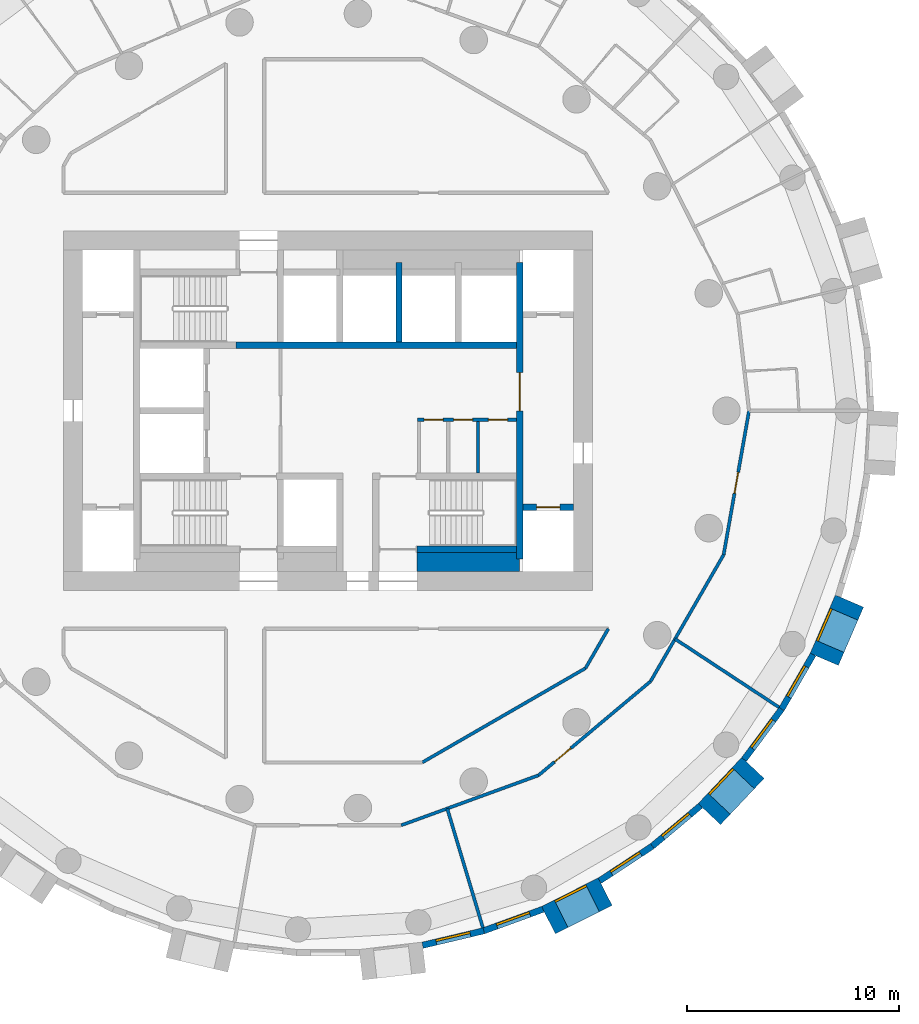
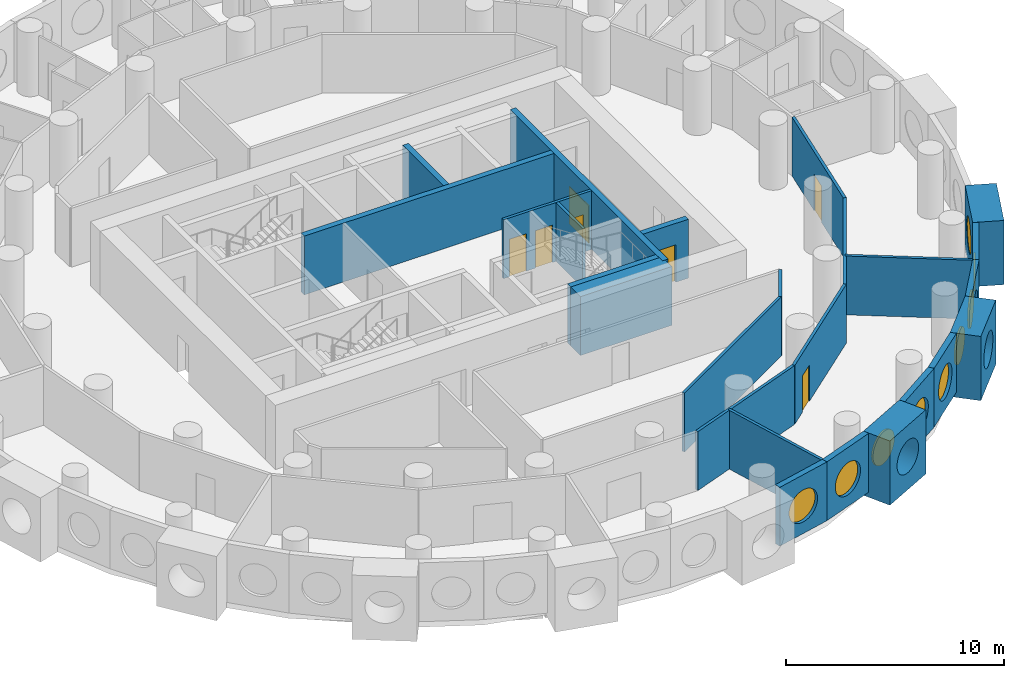
# One storey, part 4 of 10: 25 walls, 9 windows, 7 doors, 16 openings.
"""IFC4 building model written with IfcOpenShell, lengths in metres."""

from ifc_helpers import new_model, si_unit, direction, frame, frame_2d, origin, origin_2d, place, context, subcontext, project, spatial, rectangle, circle, extrude, material, layer, layer_set, type_object, element, fill, save


model = new_model("IFC4")

# Units and contexts
model_context = context("Model", 3, precision=1e-05, world=origin(), true_north=direction((0.0, 1.0)))
body_context = subcontext(model_context, "Body", "Model", "MODEL_VIEW")
ifc_project = project(units=[si_unit("LENGTHUNIT", "METRE"), si_unit("AREAUNIT", "SQUARE_METRE"), si_unit("VOLUMEUNIT", "CUBIC_METRE"), si_unit("PLANEANGLEUNIT", "RADIAN"), si_unit("MASSUNIT", "GRAM", prefix="KILO")], contexts=[model_context])

# Site, building, storey
site_placement = place(None, origin())
site = spatial("IfcSite", under=ifc_project, at=site_placement, CompositionType="ELEMENT")
building_placement = place(site_placement, origin())
building = spatial("IfcBuilding", under=site, at=building_placement, Name="Tracery Tower", CompositionType="ELEMENT")
storey_placement = place(building_placement, frame((0.0, 0.0, 133.199951171875)))
storey = spatial("IfcBuildingStorey", under=building, at=storey_placement, Name="L33", CompositionType="ELEMENT", Elevation=133.199951171875)

# Wall, openings, doors
ifc_material_1 = material(Name="Plasterboard on steel studs", Category="steel")
ifc_layer_1 = layer(ifc_material_1, 0.14990234375)
ifc_layer_set_1 = layer_set([ifc_layer_1], Name="Core room partition 150")
wall_type_1 = type_object("IfcWallType", Name="Core room partition 150", PredefinedType="SOLIDWALL", material=ifc_layer_set_1)
wall_1_placement = place(storey_placement, frame((4.22509765625, -0.425048828125, 0.0), z_axis=(0.0, 0.0, 1.0), x_axis=(1.0, 0.0, 0.0)))
wall_1 = element("IfcWall", 1, at=wall_1_placement, inside=storey, type_object=wall_type_1, Name="L33 slot N", PredefinedType="SOLIDWALL", context=body_context, shape_type="SweptSolid", body=[
    extrude(rectangle(XDim=4.6748046875, YDim=0.14990234375, at=frame_2d((2.33740234375, 0.0))), origin(), (0.0, 0.0, 1.0), 3.300048828125),
])
opening_1_placement = place(wall_1_placement, frame((0.3125, 0.0, 0.0)))
opening_1 = element("IfcOpeningElement", 2, at=opening_1_placement, cuts=wall_1, Name="Opening KD32", PredefinedType="OPENING", context=body_context, shape_type="SweptSolid", body=[
    extrude(rectangle(XDim=0.89990234375, YDim=2.10009765625, at=frame_2d((0.449951171875, 1.050048828125))), frame((0.0, 0.074951171875, 0.0), z_axis=(0.0, -1.0, 0.0), x_axis=(1.0, 0.0, 0.0)), (0.0, 0.0, 1.0), 0.14990234375),
])
opening_2_placement = place(wall_1_placement, frame((1.699951171875, 0.0, 0.0)))
opening_2 = element("IfcOpeningElement", 3, at=opening_2_placement, cuts=wall_1, Name="Opening KD26", PredefinedType="OPENING", context=body_context, shape_type="SweptSolid", body=[
    extrude(rectangle(XDim=0.89990234375, YDim=2.10009765625, at=frame_2d((0.449951171875, 1.050048828125))), frame((0.0, 0.074951171875, 0.0), z_axis=(0.0, -1.0, 0.0), x_axis=(1.0, 0.0, 0.0)), (0.0, 0.0, 1.0), 0.14990234375),
])
opening_3_placement = place(wall_1_placement, frame((3.35009765625, 0.0, 0.0)))
opening_3 = element("IfcOpeningElement", 4, at=opening_3_placement, cuts=wall_1, Name="Opening KD22", PredefinedType="OPENING", context=body_context, shape_type="SweptSolid", body=[
    extrude(rectangle(XDim=0.89990234375, YDim=2.10009765625, at=frame_2d((0.449951171875, 1.050048828125))), frame((0.0, 0.074951171875, 0.0), z_axis=(0.0, -1.0, 0.0), x_axis=(1.0, 0.0, 0.0)), (0.0, 0.0, 1.0), 0.14990234375),
])
ifc_material_2 = material(Name="Timber door leaf", Category="wood")
door_type_1 = type_object("IfcDoorType", Name="Core WC door 900", OperationType="NOTDEFINED", PredefinedType="DOOR", material=ifc_material_2)
door_1_placement = place(opening_3_placement, origin())
door_1 = element("IfcDoor", 5, at=door_1_placement, inside=storey, type_object=door_type_1, Name="Core door", OperationType="SINGLE_SWING_RIGHT", OverallHeight=2.10009765625, OverallWidth=0.89990234375, PredefinedType="DOOR", context=body_context, shape_type="SweptSolid", body=[
    extrude(rectangle(XDim=0.89990234375, YDim=2.10009765625, at=frame_2d((0.449951171875, 1.050048828125))), frame((0.0, 0.02490234375, 0.0), z_axis=(0.0, -1.0, 0.0), x_axis=(1.0, 0.0, 0.0)), (0.0, 0.0, 1.0), 0.050048828125),
])
fill(opening_3, door_1)
ifc_material_3 = material(Name="Steel fire door", Category="steel")
door_type_2 = type_object("IfcDoorType", Name="Core riser door 900", OperationType="NOTDEFINED", PredefinedType="DOOR", material=ifc_material_3)
door_2_placement = place(opening_1_placement, origin())
door_2 = element("IfcDoor", 6, at=door_2_placement, inside=storey, type_object=door_type_2, Name="Core door", OperationType="SINGLE_SWING_RIGHT", OverallHeight=2.10009765625, OverallWidth=0.89990234375, PredefinedType="DOOR", context=body_context, shape_type="SweptSolid", body=[
    extrude(rectangle(XDim=0.89990234375, YDim=2.10009765625, at=frame_2d((0.449951171875, 1.050048828125))), frame((0.0, 0.02490234375, 0.0), z_axis=(0.0, -1.0, 0.0), x_axis=(1.0, 0.0, 0.0)), (0.0, 0.0, 1.0), 0.050048828125),
])
fill(opening_1, door_2)
ifc_material_4 = material(Name="Timber door leaf", Category="wood")
door_type_3 = type_object("IfcDoorType", Name="Core store door 900", OperationType="NOTDEFINED", PredefinedType="DOOR", material=ifc_material_4)
door_3_placement = place(opening_2_placement, origin())
door_3 = element("IfcDoor", 7, at=door_3_placement, inside=storey, type_object=door_type_3, Name="Core door", OperationType="SINGLE_SWING_LEFT", OverallHeight=2.10009765625, OverallWidth=0.89990234375, PredefinedType="DOOR", context=body_context, shape_type="SweptSolid", body=[
    extrude(rectangle(XDim=0.89990234375, YDim=2.10009765625, at=frame_2d((0.449951171875, 1.050048828125))), frame((0.0, 0.02490234375, 0.0), z_axis=(0.0, -1.0, 0.0), x_axis=(1.0, 0.0, 0.0)), (0.0, 0.0, 1.0), 0.050048828125),
])
fill(opening_2, door_3)

# Walls
wall_2_placement = place(storey_placement, frame((7.074951171875, -2.949951171875, 0.0), z_axis=(0.0, 0.0, 1.0), x_axis=(0.0, 1.0, 0.0)))
element("IfcWall", 8, at=wall_2_placement, inside=storey, type_object=wall_type_1, Name="L33 slot sep 2", PredefinedType="SOLIDWALL", context=body_context, shape_type="SweptSolid", body=[
    extrude(rectangle(XDim=2.449951171875, YDim=0.14990234375, at=frame_2d((1.22509765625, 0.0))), origin(), (0.0, 0.0, 1.0), 3.300048828125),
])
ifc_material_5 = material(Name="Concrete C50/60", Category="concrete")
ifc_layer_2 = layer(ifc_material_5, 0.89990234375)
ifc_layer_set_2 = layer_set([ifc_layer_2], Name="Core strip wall 900 C50")
wall_type_2 = type_object("IfcWallType", Name="Core strip wall 900 C50", PredefinedType="SOLIDWALL", material=ifc_layer_set_2)
wall_3_placement = place(storey_placement, frame((4.199951171875, -7.14990234375, 0.0), z_axis=(0.0, 0.0, 1.0), x_axis=(1.0, 0.0, 0.0)))
element("IfcWall", 9, at=wall_3_placement, inside=storey, type_object=wall_type_2, Name="L33 F thick S E", PredefinedType="SOLIDWALL", context=body_context, shape_type="SweptSolid", body=[
    extrude(rectangle(XDim=4.85009765625, YDim=0.89990234375, at=frame_2d((2.425048828125, 0.0))), origin(), (0.0, 0.0, 1.0), 3.300048828125),
])

# Wall, opening, window
ifc_material_6 = material(Name="Precast concrete C50/60", Category="concrete")
ifc_layer_3 = layer(ifc_material_6, 1.449951171875)
ifc_layer_set_3 = layer_set([ifc_layer_3], Name="Deep-set bay unit 3000 x 3600, slab edge 300")
wall_type_3 = type_object("IfcWallType", Name="Deep-set bay unit 3000 x 3600, slab edge 300", PredefinedType="ELEMENTEDWALL", material=ifc_layer_set_3)
wall_4_placement = place(storey_placement, frame((10.40869140625, -24.067626953125, -0.300048828125), z_axis=(0.0, 0.0, 1.0), x_axis=(0.893628249713, 0.448807922518, 0.0)))
wall_4 = element("IfcWall", 10, at=wall_4_placement, inside=storey, type_object=wall_type_3, Name="Deep-set bay unit 45 at L33", PredefinedType="ELEMENTEDWALL", context=body_context, shape_type="SweptSolid", body=[
    extrude(rectangle(XDim=3.0, YDim=1.449951171875, at=frame_2d((1.5, 0.0))), origin(), (0.0, 0.0, 1.0), 3.60009765625),
])
opening_4_placement = place(wall_4_placement, frame((1.5, 0.0, 1.85009765625)))
opening_4 = element("IfcOpeningElement", 11, at=opening_4_placement, cuts=wall_4, Name="Opening WN1", PredefinedType="OPENING", context=body_context, shape_type="SweptSolid", body=[
    extrude(circle(Radius=0.9000244140625, at=origin_2d()), frame((0.0, 0.73486328125, 0.0), z_axis=(0.0, -1.0, 0.0), x_axis=(1.0, 0.0, 0.0)), (0.0, 0.0, 1.0), 1.469970703125),
])
ifc_material_7 = material(Name="Aluminium frame with tinted double glazing", Category="aluminium")
window_type = type_object("IfcWindowType", Name="Round window 1800", PartitioningType="SINGLE_PANEL", PredefinedType="WINDOW", material=ifc_material_7)
window_1_placement = place(opening_4_placement, origin())
window_1 = element("IfcWindow", 12, at=window_1_placement, inside=storey, type_object=window_type, Name="Round window 45 at L33", OverallHeight=1.800048828125, OverallWidth=1.800048828125, PartitioningType="SINGLE_PANEL", PredefinedType="WINDOW", context=body_context, shape_type="SweptSolid", body=[
    extrude(circle(Radius=0.9000244140625, at=origin_2d()), frame((0.0, 0.69482421875, 0.0), z_axis=(0.0, -1.0, 0.0), x_axis=(1.0, 0.0, 0.0)), (0.0, 0.0, 1.0), 0.10009765625),
])
fill(opening_4, window_1)

wall_5_placement = place(storey_placement, frame((18.0126953125, -19.05615234375, -0.300048828125), z_axis=(0.0, 0.0, 1.0), x_axis=(0.686217177108, 0.727396718334, 0.0)))
wall_5 = element("IfcWall", 13, at=wall_5_placement, inside=storey, type_object=wall_type_3, Name="Deep-set bay unit 48 at L33", PredefinedType="ELEMENTEDWALL", context=body_context, shape_type="SweptSolid", body=[
    extrude(rectangle(XDim=3.0, YDim=1.449951171875, at=frame_2d((1.5, 0.0))), origin(), (0.0, 0.0, 1.0), 3.60009765625),
])
opening_5_placement = place(wall_5_placement, frame((1.5, 0.0, 1.85009765625)))
opening_5 = element("IfcOpeningElement", 14, at=opening_5_placement, cuts=wall_5, Name="Opening WN1", PredefinedType="OPENING", context=body_context, shape_type="SweptSolid", body=[
    extrude(circle(Radius=0.9000244140625, at=origin_2d()), frame((0.0, 0.73486328125, 0.0), z_axis=(0.0, -1.0, 0.0), x_axis=(1.0, 0.0, 0.0)), (0.0, 0.0, 1.0), 1.469970703125),
])
window_2_placement = place(opening_5_placement, origin())
window_2 = element("IfcWindow", 15, at=window_2_placement, inside=storey, type_object=window_type, Name="Round window 48 at L33", OverallHeight=1.800048828125, OverallWidth=1.800048828125, PartitioningType="SINGLE_PANEL", PredefinedType="WINDOW", context=body_context, shape_type="SweptSolid", body=[
    extrude(circle(Radius=0.9000244140625, at=origin_2d()), frame((0.0, 0.69482421875, 0.0), z_axis=(0.0, -1.0, 0.0), x_axis=(1.0, 0.0, 0.0)), (0.0, 0.0, 1.0), 0.10009765625),
])
fill(opening_5, window_2)

wall_6_placement = place(storey_placement, frame((23.44384765625, -11.746337890625, -0.300048828125), z_axis=(0.0, 0.0, 1.0), x_axis=(0.396079003245, 0.918216435917, 0.0)))
wall_6 = element("IfcWall", 16, at=wall_6_placement, inside=storey, type_object=wall_type_3, Name="Deep-set bay unit 51 at L33", PredefinedType="ELEMENTEDWALL", context=body_context, shape_type="SweptSolid", body=[
    extrude(rectangle(XDim=3.0, YDim=1.449951171875, at=frame_2d((1.5, 0.0))), origin(), (0.0, 0.0, 1.0), 3.60009765625),
])
opening_6_placement = place(wall_6_placement, frame((1.5, 0.0, 1.85009765625)))
opening_6 = element("IfcOpeningElement", 17, at=opening_6_placement, cuts=wall_6, Name="Opening WN1", PredefinedType="OPENING", context=body_context, shape_type="SweptSolid", body=[
    extrude(circle(Radius=0.9000244140625, at=origin_2d()), frame((0.0, 0.73486328125, 0.0), z_axis=(0.0, -1.0, 0.0), x_axis=(1.0, 0.0, 0.0)), (0.0, 0.0, 1.0), 1.469970703125),
])
window_3_placement = place(opening_6_placement, origin())
window_3 = element("IfcWindow", 18, at=window_3_placement, inside=storey, type_object=window_type, Name="Round window 51 at L33", OverallHeight=1.800048828125, OverallWidth=1.800048828125, PartitioningType="SINGLE_PANEL", PredefinedType="WINDOW", context=body_context, shape_type="SweptSolid", body=[
    extrude(circle(Radius=0.9000244140625, at=origin_2d()), frame((0.0, 0.69482421875, 0.0), z_axis=(0.0, -1.0, 0.0), x_axis=(1.0, 0.0, 0.0)), (0.0, 0.0, 1.0), 0.10009765625),
])
fill(opening_6, window_3)

ifc_material_8 = material(Name="Precast concrete C50/60", Category="concrete")
ifc_layer_4 = layer(ifc_material_8, 0.300048828125)
ifc_layer_set_4 = layer_set([ifc_layer_4], Name="Facade panel 3000 x 3300")
wall_type_4 = type_object("IfcWallType", Name="Facade panel 3000 x 3300", PredefinedType="SOLIDWALL", material=ifc_layer_set_4)
wall_7_placement = place(storey_placement, frame((4.463134765625, -25.255615234375, 0.0), z_axis=(0.0, 0.0, 1.0), x_axis=(0.973045378923, 0.230613725862, 0.0)))
wall_7 = element("IfcWall", 19, at=wall_7_placement, inside=storey, type_object=wall_type_4, Name="Facade panel 43 at L33", PredefinedType="SOLIDWALL", context=body_context, shape_type="SweptSolid", body=[
    extrude(rectangle(XDim=2.97265625, YDim=0.300048828125, at=frame_2d((1.486328125, 0.0))), origin(), (0.0, 0.0, 1.0), 3.300048828125),
])
opening_7_placement = place(wall_7_placement, frame((1.486328125, 0.0, 1.5498046875)))
opening_7 = element("IfcOpeningElement", 20, at=opening_7_placement, cuts=wall_7, Name="Opening WN1", PredefinedType="OPENING", context=body_context, shape_type="SweptSolid", body=[
    extrude(circle(Radius=0.9000244140625, at=origin_2d()), frame((0.0, 0.159912109375, 0.0), z_axis=(0.0, -1.0, 0.0), x_axis=(1.0, 0.0, 0.0)), (0.0, 0.0, 1.0), 0.320068359375),
])
window_4_placement = place(opening_7_placement, origin())
window_4 = element("IfcWindow", 21, at=window_4_placement, inside=storey, type_object=window_type, Name="Round window 43 at L33", OverallHeight=1.800048828125, OverallWidth=1.800048828125, PartitioningType="SINGLE_PANEL", PredefinedType="WINDOW", context=body_context, shape_type="SweptSolid", body=[
    extrude(circle(Radius=0.9000244140625, at=origin_2d()), frame((0.0, 0.1201171875, 0.0), z_axis=(0.0, -1.0, 0.0), x_axis=(1.0, 0.0, 0.0)), (0.0, 0.0, 1.0), 0.10009765625),
])
fill(opening_7, window_4)

wall_8_placement = place(storey_placement, frame((7.355712890625, -24.570068359375, 0.0), z_axis=(0.0, 0.0, 1.0), x_axis=(0.939690282133, 0.342026568652, 0.0)))
wall_8 = element("IfcWall", 22, at=wall_8_placement, inside=storey, type_object=wall_type_4, Name="Facade panel 44 at L33", PredefinedType="SOLIDWALL", context=body_context, shape_type="SweptSolid", body=[
    extrude(rectangle(XDim=2.972900390625, YDim=0.300048828125, at=frame_2d((1.486328125, 0.0))), origin(), (0.0, 0.0, 1.0), 3.300048828125),
])
opening_8_placement = place(wall_8_placement, frame((1.486328125, 0.0, 1.5498046875)))
opening_8 = element("IfcOpeningElement", 23, at=opening_8_placement, cuts=wall_8, Name="Opening WN1", PredefinedType="OPENING", context=body_context, shape_type="SweptSolid", body=[
    extrude(circle(Radius=0.9000244140625, at=origin_2d()), frame((0.0, 0.159912109375, 0.0), z_axis=(0.0, -1.0, 0.0), x_axis=(1.0, 0.0, 0.0)), (0.0, 0.0, 1.0), 0.320068359375),
])
window_5_placement = place(opening_8_placement, origin())
window_5 = element("IfcWindow", 24, at=window_5_placement, inside=storey, type_object=window_type, Name="Round window 44 at L33", OverallHeight=1.800048828125, OverallWidth=1.800048828125, PartitioningType="SINGLE_PANEL", PredefinedType="WINDOW", context=body_context, shape_type="SweptSolid", body=[
    extrude(circle(Radius=0.9000244140625, at=origin_2d()), frame((0.0, 0.1201171875, 0.0), z_axis=(0.0, -1.0, 0.0), x_axis=(1.0, 0.0, 0.0)), (0.0, 0.0, 1.0), 0.10009765625),
])
fill(opening_8, window_5)

wall_9_placement = place(storey_placement, frame((12.831787109375, -22.2060546875, 0.0), z_axis=(0.0, 0.0, 1.0), x_axis=(0.835508361394, 0.54947773207, 0.0)))
wall_9 = element("IfcWall", 25, at=wall_9_placement, inside=storey, type_object=wall_type_4, Name="Facade panel 46 at L33", PredefinedType="SOLIDWALL", context=body_context, shape_type="SweptSolid", body=[
    extrude(rectangle(XDim=2.972900390625, YDim=0.300048828125, at=frame_2d((1.486328125, 0.0))), origin(), (0.0, 0.0, 1.0), 3.300048828125),
])
opening_9_placement = place(wall_9_placement, frame((1.486328125, 0.0, 1.5498046875)))
opening_9 = element("IfcOpeningElement", 26, at=opening_9_placement, cuts=wall_9, Name="Opening WN1", PredefinedType="OPENING", context=body_context, shape_type="SweptSolid", body=[
    extrude(circle(Radius=0.9000244140625, at=origin_2d()), frame((0.0, 0.159912109375, 0.0), z_axis=(0.0, -1.0, 0.0), x_axis=(1.0, 0.0, 0.0)), (0.0, 0.0, 1.0), 0.320068359375),
])
window_6_placement = place(opening_9_placement, origin())
window_6 = element("IfcWindow", 27, at=window_6_placement, inside=storey, type_object=window_type, Name="Round window 46 at L33", OverallHeight=1.800048828125, OverallWidth=1.800048828125, PartitioningType="SINGLE_PANEL", PredefinedType="WINDOW", context=body_context, shape_type="SweptSolid", body=[
    extrude(circle(Radius=0.9000244140625, at=origin_2d()), frame((0.0, 0.1201171875, 0.0), z_axis=(0.0, -1.0, 0.0), x_axis=(1.0, 0.0, 0.0)), (0.0, 0.0, 1.0), 0.10009765625),
])
fill(opening_9, window_6)

wall_10_placement = place(storey_placement, frame((15.315673828125, -20.572509765625, 0.0), z_axis=(0.0, 0.0, 1.0), x_axis=(0.766008913364, 0.642829950023, 0.0)))
wall_10 = element("IfcWall", 28, at=wall_10_placement, inside=storey, type_object=wall_type_4, Name="Facade panel 47 at L33", PredefinedType="SOLIDWALL", context=body_context, shape_type="SweptSolid", body=[
    extrude(rectangle(XDim=2.972900390625, YDim=0.300048828125, at=frame_2d((1.486328125, 0.0))), origin(), (0.0, 0.0, 1.0), 3.300048828125),
])
opening_10_placement = place(wall_10_placement, frame((1.486328125, 0.0, 1.5498046875)))
opening_10 = element("IfcOpeningElement", 29, at=opening_10_placement, cuts=wall_10, Name="Opening WN1", PredefinedType="OPENING", context=body_context, shape_type="SweptSolid", body=[
    extrude(circle(Radius=0.9000244140625, at=origin_2d()), frame((0.0, 0.159912109375, 0.0), z_axis=(0.0, -1.0, 0.0), x_axis=(1.0, 0.0, 0.0)), (0.0, 0.0, 1.0), 0.320068359375),
])
window_7_placement = place(opening_10_placement, origin())
window_7 = element("IfcWindow", 30, at=window_7_placement, inside=storey, type_object=window_type, Name="Round window 47 at L33", OverallHeight=1.800048828125, OverallWidth=1.800048828125, PartitioningType="SINGLE_PANEL", PredefinedType="WINDOW", context=body_context, shape_type="SweptSolid", body=[
    extrude(circle(Radius=0.9000244140625, at=origin_2d()), frame((0.0, 0.1201171875, 0.0), z_axis=(0.0, -1.0, 0.0), x_axis=(1.0, 0.0, 0.0)), (0.0, 0.0, 1.0), 0.10009765625),
])
fill(opening_10, window_7)

wall_11_placement = place(storey_placement, frame((19.65283203125, -16.47802734375, 0.0), z_axis=(0.0, 0.0, 1.0), x_axis=(0.597197580538, 0.80209416517, 0.0)))
wall_11 = element("IfcWall", 31, at=wall_11_placement, inside=storey, type_object=wall_type_4, Name="Facade panel 49 at L33", PredefinedType="SOLIDWALL", context=body_context, shape_type="SweptSolid", body=[
    extrude(rectangle(XDim=2.972900390625, YDim=0.300048828125, at=frame_2d((1.486328125, 0.0))), origin(), (0.0, 0.0, 1.0), 3.300048828125),
])
opening_11_placement = place(wall_11_placement, frame((1.486328125, 0.0, 1.5498046875)))
opening_11 = element("IfcOpeningElement", 32, at=opening_11_placement, cuts=wall_11, Name="Opening WN1", PredefinedType="OPENING", context=body_context, shape_type="SweptSolid", body=[
    extrude(circle(Radius=0.9000244140625, at=origin_2d()), frame((0.0, 0.159912109375, 0.0), z_axis=(0.0, -1.0, 0.0), x_axis=(1.0, 0.0, 0.0)), (0.0, 0.0, 1.0), 0.320068359375),
])
window_8_placement = place(opening_11_placement, origin())
window_8 = element("IfcWindow", 33, at=window_8_placement, inside=storey, type_object=window_type, Name="Round window 49 at L33", OverallHeight=1.800048828125, OverallWidth=1.800048828125, PartitioningType="SINGLE_PANEL", PredefinedType="WINDOW", context=body_context, shape_type="SweptSolid", body=[
    extrude(circle(Radius=0.9000244140625, at=origin_2d()), frame((0.0, 0.1201171875, 0.0), z_axis=(0.0, -1.0, 0.0), x_axis=(1.0, 0.0, 0.0)), (0.0, 0.0, 1.0), 0.10009765625),
])
fill(opening_11, window_8)

wall_12_placement = place(storey_placement, frame((21.42822265625, -14.093505859375, 0.0), z_axis=(0.0, 0.0, 1.0), x_axis=(0.499954672104, 0.866051572276, 0.0)))
wall_12 = element("IfcWall", 34, at=wall_12_placement, inside=storey, type_object=wall_type_4, Name="Facade panel 50 at L33", PredefinedType="SOLIDWALL", context=body_context, shape_type="SweptSolid", body=[
    extrude(rectangle(XDim=2.972900390625, YDim=0.300048828125, at=frame_2d((1.486328125, 0.0))), origin(), (0.0, 0.0, 1.0), 3.300048828125),
])
opening_12_placement = place(wall_12_placement, frame((1.486328125, 0.0, 1.5498046875)))
opening_12 = element("IfcOpeningElement", 35, at=opening_12_placement, cuts=wall_12, Name="Opening WN1", PredefinedType="OPENING", context=body_context, shape_type="SweptSolid", body=[
    extrude(circle(Radius=0.9000244140625, at=origin_2d()), frame((0.0, 0.159912109375, 0.0), z_axis=(0.0, -1.0, 0.0), x_axis=(1.0, 0.0, 0.0)), (0.0, 0.0, 1.0), 0.320068359375),
])
window_9_placement = place(opening_12_placement, origin())
window_9 = element("IfcWindow", 36, at=window_9_placement, inside=storey, type_object=window_type, Name="Round window 50 at L33", OverallHeight=1.800048828125, OverallWidth=1.800048828125, PartitioningType="SINGLE_PANEL", PredefinedType="WINDOW", context=body_context, shape_type="SweptSolid", body=[
    extrude(circle(Radius=0.9000244140625, at=origin_2d()), frame((0.0, 0.1201171875, 0.0), z_axis=(0.0, -1.0, 0.0), x_axis=(1.0, 0.0, 0.0)), (0.0, 0.0, 1.0), 0.10009765625),
])
fill(opening_12, window_9)

# Walls
ifc_material_9 = material(Name="Plasterboard on steel studs", Category="steel")
ifc_layer_5 = layer(ifc_material_9, 0.14990234375)
ifc_layer_set_5 = layer_set([ifc_layer_5], Name="Partition 150 acoustic unit wall")
wall_type_5 = type_object("IfcWallType", Name="Partition 150 acoustic unit wall", PredefinedType="PARTITIONING", material=ifc_layer_set_5)
wall_13_placement = place(storey_placement, frame((5.626953125, -18.794921875, 0.0), z_axis=(0.0, 0.0, 1.0), x_axis=(0.286833432865, -0.957980470464, 0.0)))
element("IfcWall", 37, at=wall_13_placement, inside=storey, type_object=wall_type_5, Name="Unit wall RB1-079", PredefinedType="PARTITIONING", context=body_context, shape_type="SweptSolid", body=[
    extrude(rectangle(XDim=5.878173828125, YDim=0.14990234375, at=frame_2d((2.93896484375, 0.0))), origin(), (0.0, 0.0, 1.0), 3.300048828125),
])
wall_14_placement = place(storey_placement, frame((16.39111328125, -10.781005859375, 0.0), z_axis=(0.0, 0.0, 1.0), x_axis=(0.835534987945, -0.54943724293, 0.0)))
element("IfcWall", 38, at=wall_14_placement, inside=storey, type_object=wall_type_5, Name="Unit wall RB1-080", PredefinedType="PARTITIONING", context=body_context, shape_type="SweptSolid", body=[
    extrude(rectangle(XDim=5.878662109375, YDim=0.14990234375, at=frame_2d((2.939453125, 0.0))), origin(), (0.0, 0.0, 1.0), 3.300048828125),
])
ifc_material_10 = material(Name="Plasterboard on steel studs", Category="steel")
ifc_layer_6 = layer(ifc_material_10, 0.14990234375)
ifc_layer_set_6 = layer_set([ifc_layer_6], Name="Partition 150 corridor wall")
wall_type_6 = type_object("IfcWallType", Name="Partition 150 corridor wall", PredefinedType="PARTITIONING", material=ifc_layer_set_6)
wall_15_placement = place(storey_placement, frame((12.162109375, -12.162109375, 0.0), z_axis=(0.0, 0.0, 1.0), x_axis=(0.499961633463, 0.866047553582, 0.0)))
element("IfcWall", 39, at=wall_15_placement, inside=storey, type_object=wall_type_6, Name="Corridor wall RB1-006", PredefinedType="PARTITIONING", context=body_context, shape_type="SweptSolid", body=[
    extrude(rectangle(XDim=2.150146484375, YDim=0.14990234375, at=frame_2d((1.0751953125, 0.0))), origin(), (0.0, 0.0, 1.0), 3.300048828125),
])
wall_16_placement = place(storey_placement, frame((15.235107421875, -12.783935546875, 0.0), z_axis=(0.0, 0.0, 1.0), x_axis=(0.499940714931, 0.86605962933, 0.0)))
element("IfcWall", 40, at=wall_16_placement, inside=storey, type_object=wall_type_6, Name="Corridor wall RB1-010", PredefinedType="PARTITIONING", context=body_context, shape_type="SweptSolid", body=[
    extrude(rectangle(XDim=6.906982421875, YDim=0.14990234375, at=frame_2d((3.45361328125, 0.0))), origin(), (0.0, 0.0, 1.0), 3.300048828125),
])

# Wall, opening, door
wall_17_placement = place(storey_placement, frame((9.943359375, -17.22216796875, 0.0), z_axis=(0.0, 0.0, 1.0), x_axis=(0.766192104565, 0.642611592567, 0.0)))
wall_17 = element("IfcWall", 41, at=wall_17_placement, inside=storey, type_object=wall_type_6, Name="Corridor wall RB1-011", PredefinedType="PARTITIONING", context=body_context, shape_type="SweptSolid", body=[
    extrude(rectangle(XDim=6.906494140625, YDim=0.14990234375, at=frame_2d((3.453125, 0.0))), origin(), (0.0, 0.0, 1.0), 3.300048828125),
])
opening_13_placement = place(wall_17_placement, frame((0.983642578125, 0.0, 0.0)))
opening_13 = element("IfcOpeningElement", 42, at=opening_13_placement, cuts=wall_17, Name="Opening RB1-30", PredefinedType="OPENING", context=body_context, shape_type="SweptSolid", body=[
    extrude(rectangle(XDim=1.0, YDim=2.0400390625, at=frame_2d((0.5, 1.02001953125))), frame((0.0, 0.074951171875, 0.0), z_axis=(0.0, -1.0, 0.0), x_axis=(1.0, 0.0, 0.0)), (0.0, 0.0, 1.0), 0.14990234375),
])
ifc_material_11 = material(Name="Timber door leaf", Category="wood")
door_type_4 = type_object("IfcDoorType", Name="Door communal room 1000", OperationType="NOTDEFINED", PredefinedType="DOOR", material=ifc_material_11)
door_4_placement = place(opening_13_placement, origin())
door_4 = element("IfcDoor", 43, at=door_4_placement, inside=storey, type_object=door_type_4, Name="Communal room door RB1-30", OperationType="SINGLE_SWING_RIGHT", OverallHeight=2.0400390625, OverallWidth=1.0, PredefinedType="DOOR", context=body_context, shape_type="SweptSolid", body=[
    extrude(rectangle(XDim=1.0, YDim=2.0400390625, at=frame_2d((0.5, 1.02001953125))), frame((0.0, 0.02490234375, 0.0), z_axis=(0.0, -1.0, 0.0), x_axis=(1.0, 0.0, 0.0)), (0.0, 0.0, 1.0), 0.050048828125),
])
fill(opening_13, door_4)

wall_18_placement = place(storey_placement, frame((18.68798828125, -6.802001953125, 0.0), z_axis=(0.0, 0.0, 1.0), x_axis=(0.173728873845, 0.98479352069, 0.0)))
wall_18 = element("IfcWall", 44, at=wall_18_placement, inside=storey, type_object=wall_type_6, Name="Corridor wall RB1-012", PredefinedType="PARTITIONING", context=body_context, shape_type="SweptSolid", body=[
    extrude(rectangle(XDim=6.906982421875, YDim=0.14990234375, at=frame_2d((3.45361328125, 0.0))), origin(), (0.0, 0.0, 1.0), 3.300048828125),
])
opening_14_placement = place(wall_18_placement, frame((2.952880859375, 0.0, 0.0)))
opening_14 = element("IfcOpeningElement", 45, at=opening_14_placement, cuts=wall_18, Name="Opening RB1-31", PredefinedType="OPENING", context=body_context, shape_type="SweptSolid", body=[
    extrude(rectangle(XDim=1.0, YDim=2.0400390625, at=frame_2d((0.5, 1.02001953125))), frame((0.0, 0.074951171875, 0.0), z_axis=(0.0, -1.0, 0.0), x_axis=(1.0, 0.0, 0.0)), (0.0, 0.0, 1.0), 0.14990234375),
])
door_5_placement = place(opening_14_placement, origin())
door_5 = element("IfcDoor", 46, at=door_5_placement, inside=storey, type_object=door_type_4, Name="Communal room door RB1-31", OperationType="SINGLE_SWING_RIGHT", OverallHeight=2.0400390625, OverallWidth=1.0, PredefinedType="DOOR", context=body_context, shape_type="SweptSolid", body=[
    extrude(rectangle(XDim=1.0, YDim=2.0400390625, at=frame_2d((0.5, 1.02001953125))), frame((0.0, 0.02490234375, 0.0), z_axis=(0.0, -1.0, 0.0), x_axis=(1.0, 0.0, 0.0)), (0.0, 0.0, 1.0), 0.050048828125),
])
fill(opening_14, door_5)

# Walls
wall_19_placement = place(storey_placement, frame((4.451904296875, -16.614013671875, 0.0), z_axis=(0.0, 0.0, 1.0), x_axis=(0.866005203721, 0.500034985904, 0.0)))
element("IfcWall", 47, at=wall_19_placement, inside=storey, type_object=wall_type_6, Name="Corridor wall RB1-036", PredefinedType="PARTITIONING", context=body_context, shape_type="SweptSolid", body=[
    extrude(rectangle(XDim=8.903076171875, YDim=0.14990234375, at=frame_2d((4.45166015625, 0.0))), origin(), (0.0, 0.0, 1.0), 3.300048828125),
])
wall_20_placement = place(storey_placement, frame((3.452880859375, -19.5859375, 0.0), z_axis=(0.0, 0.0, 1.0), x_axis=(0.939607544688, 0.342253797591, 0.0)))
element("IfcWall", 48, at=wall_20_placement, inside=storey, type_object=wall_type_6, Name="Corridor wall RB1-038", PredefinedType="PARTITIONING", context=body_context, shape_type="SweptSolid", body=[
    extrude(rectangle(XDim=6.907958984375, YDim=0.14990234375, at=frame_2d((3.4541015625, 0.0))), origin(), (0.0, 0.0, 1.0), 3.300048828125),
])
ifc_material_12 = material(Name="Concrete C50/60", Category="concrete")
ifc_layer_7 = layer(ifc_material_12, 0.300048828125)
ifc_layer_set_7 = layer_set([ifc_layer_7], Name="Shaft wall 300 C50")
wall_type_7 = type_object("IfcWallType", Name="Shaft wall 300 C50", PredefinedType="SOLIDWALL", material=ifc_layer_set_7)
wall_21_placement = place(storey_placement, frame((3.35009765625, 3.25, 0.0), z_axis=(0.0, 0.0, 1.0), x_axis=(0.0, 1.0, 0.0)))
element("IfcWall", 49, at=wall_21_placement, inside=storey, type_object=wall_type_7, Name="L33 HR sep 2", PredefinedType="SOLIDWALL", context=body_context, shape_type="SweptSolid", body=[
    extrude(rectangle(XDim=3.75, YDim=0.300048828125, at=frame_2d((1.875, 0.0))), origin(), (0.0, 0.0, 1.0), 3.300048828125),
])

# Wall, opening, door
wall_22_placement = place(storey_placement, frame((9.199951171875, -4.550048828125, 0.0), z_axis=(0.0, 0.0, 1.0), x_axis=(1.0, 0.0, 0.0)))
wall_22 = element("IfcWall", 50, at=wall_22_placement, inside=storey, type_object=wall_type_7, Name="L33 MR E -4.55", PredefinedType="SOLIDWALL", context=body_context, shape_type="SweptSolid", body=[
    extrude(rectangle(XDim=2.400146484375, YDim=0.300048828125, at=frame_2d((1.2001953125, 0.0))), origin(), (0.0, 0.0, 1.0), 3.300048828125),
])
opening_15_placement = place(wall_22_placement, frame((0.64990234375, 0.0, 0.0)))
opening_15 = element("IfcOpeningElement", 51, at=opening_15_placement, cuts=wall_22, Name="Opening KD50", PredefinedType="OPENING", context=body_context, shape_type="SweptSolid", body=[
    extrude(rectangle(XDim=1.10009765625, YDim=2.10009765625, at=frame_2d((0.550048828125, 1.050048828125))), frame((0.0, 0.14990234375, 0.0), z_axis=(0.0, -1.0, 0.0), x_axis=(1.0, 0.0, 0.0)), (0.0, 0.0, 1.0), 0.300048828125),
])
ifc_material_13 = material(Name="Steel fire door", Category="steel")
door_type_5 = type_object("IfcDoorType", Name="Landing door 1100", OperationType="NOTDEFINED", PredefinedType="DOOR", material=ifc_material_13)
door_6_placement = place(opening_15_placement, origin())
door_6 = element("IfcDoor", 52, at=door_6_placement, inside=storey, type_object=door_type_5, Name="Landing door MR3", OperationType="SLIDING_TO_RIGHT", OverallHeight=2.10009765625, OverallWidth=1.10009765625, PredefinedType="DOOR", context=body_context, shape_type="SweptSolid", body=[
    extrude(rectangle(XDim=1.10009765625, YDim=2.10009765625, at=frame_2d((0.550048828125, 1.050048828125))), frame((0.0, 0.02490234375, 0.0), z_axis=(0.0, -1.0, 0.0), x_axis=(1.0, 0.0, 0.0)), (0.0, 0.0, 1.0), 0.050048828125),
])
fill(opening_15, door_6)

# Wall
ifc_material_14 = material(Name="Concrete C50/60", Category="concrete")
ifc_layer_8 = layer(ifc_material_14, 0.300048828125)
ifc_layer_set_8 = layer_set([ifc_layer_8], Name="Stair wall 300 C50")
wall_type_8 = type_object("IfcWallType", Name="Stair wall 300 C50", PredefinedType="SOLIDWALL", material=ifc_layer_set_8)
wall_23_placement = place(storey_placement, frame((-4.35009765625, 3.10009765625, 0.0), z_axis=(0.0, 0.0, 1.0), x_axis=(1.0, 0.0, 0.0)))
element("IfcWall", 53, at=wall_23_placement, inside=storey, type_object=wall_type_8, Name="L33 row N", PredefinedType="SOLIDWALL", context=body_context, shape_type="SweptSolid", body=[
    extrude(rectangle(XDim=13.25, YDim=0.300048828125, at=frame_2d((6.625, 0.0))), origin(), (0.0, 0.0, 1.0), 3.300048828125),
])

# Wall, opening, door
wall_24_placement = place(storey_placement, frame((9.050048828125, -7.0, 0.0), z_axis=(0.0, 0.0, 1.0), x_axis=(0.0, 1.0, 0.0)))
wall_24 = element("IfcWall", 54, at=wall_24_placement, inside=storey, type_object=wall_type_8, Name="L33 F wall +9", PredefinedType="SOLIDWALL", context=body_context, shape_type="SweptSolid", body=[
    extrude(rectangle(XDim=14.0, YDim=0.300048828125, at=frame_2d((7.0, 0.0))), origin(), (0.0, 0.0, 1.0), 3.300048828125),
])
opening_16_placement = place(wall_24_placement, frame((7.0, 0.0, 0.0)))
opening_16 = element("IfcOpeningElement", 55, at=opening_16_placement, cuts=wall_24, Name="Opening KD13", PredefinedType="OPENING", context=body_context, shape_type="SweptSolid", body=[
    extrude(rectangle(XDim=1.800048828125, YDim=2.10009765625, at=frame_2d((0.89990234375, 1.050048828125))), frame((0.0, 0.14990234375, 0.0), z_axis=(0.0, -1.0, 0.0), x_axis=(1.0, 0.0, 0.0)), (0.0, 0.0, 1.0), 0.300048828125),
])
ifc_material_15 = material(Name="Steel fire door", Category="steel")
door_type_6 = type_object("IfcDoorType", Name="Core exit door 1800 double", OperationType="NOTDEFINED", PredefinedType="DOOR", material=ifc_material_15)
door_7_placement = place(opening_16_placement, origin())
door_7 = element("IfcDoor", 56, at=door_7_placement, inside=storey, type_object=door_type_6, Name="Core exit door", OperationType="DOUBLE_DOOR_SINGLE_SWING", OverallHeight=2.10009765625, OverallWidth=1.800048828125, PredefinedType="DOOR", context=body_context, shape_type="SweptSolid", body=[
    extrude(rectangle(XDim=1.800048828125, YDim=2.10009765625, at=frame_2d((0.89990234375, 1.050048828125))), frame((0.0, 0.02490234375, 0.0), z_axis=(0.0, -1.0, 0.0), x_axis=(1.0, 0.0, 0.0)), (0.0, 0.0, 1.0), 0.050048828125),
])
fill(opening_16, door_7)

# Wall
wall_25_placement = place(storey_placement, frame((4.199951171875, -6.550048828125, 0.0), z_axis=(0.0, 0.0, 1.0), x_axis=(1.0, 0.0, 0.0)))
element("IfcWall", 57, at=wall_25_placement, inside=storey, type_object=wall_type_8, Name="L33 F stair strip S E", PredefinedType="SOLIDWALL", context=body_context, shape_type="SweptSolid", body=[
    extrude(rectangle(XDim=4.699951171875, YDim=0.300048828125, at=frame_2d((2.35009765625, 0.0))), origin(), (0.0, 0.0, 1.0), 3.300048828125),
])

save(model, "model.ifc")
